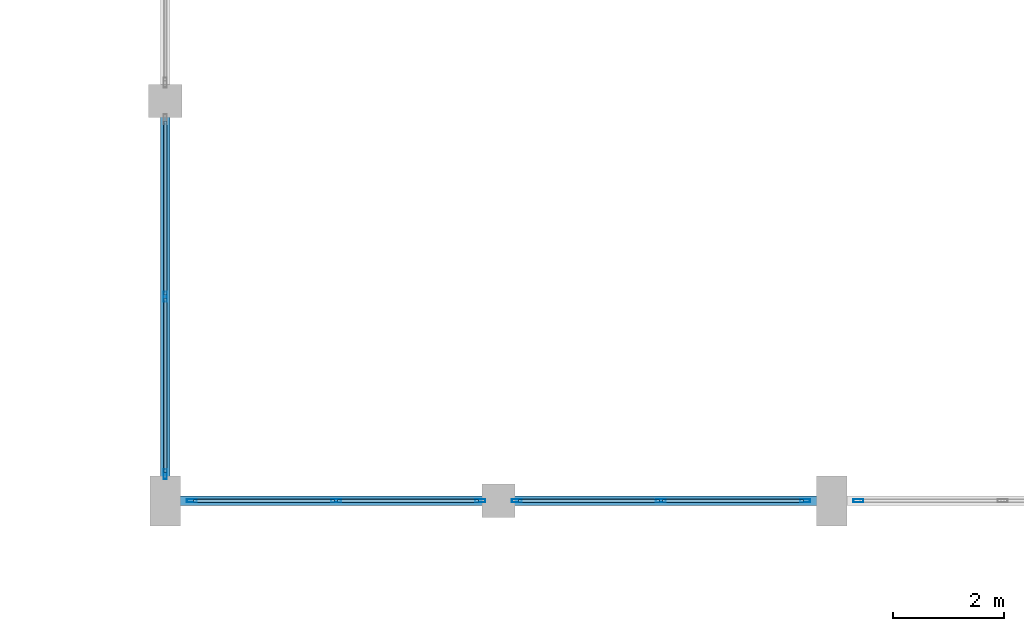
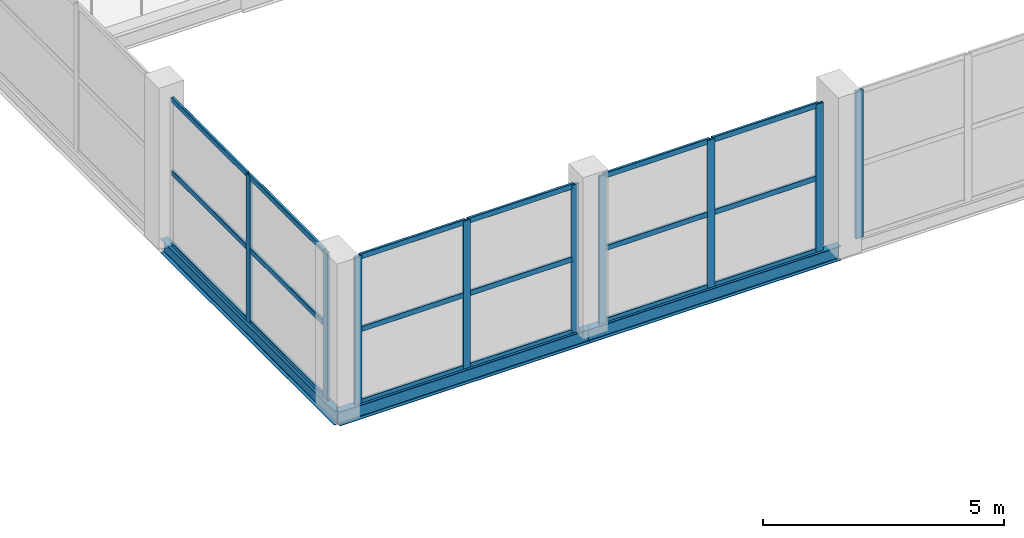
# One storey, part 35 of 127: 27 members, 3 beams, 4 elements without a shape of their own.
"""IFC4 building model written with IfcOpenShell, lengths in metres."""

from ifc_helpers import new_model, si_unit, direction, frame, origin, origin_2d, place, context, subcontext, project, spatial, hollow_rectangle, i_section, extrude, material, layer, layer_set, material_profile, profile_set, type_object, element, aggregate, save


model = new_model("IFC4")

# Units and contexts
model_context = context("Model", 3, precision=1e-05, world=origin(), true_north=direction((0.0, 1.0)))
body_context = subcontext(model_context, "Body", "Model", "MODEL_VIEW")
ifc_project = project(units=[si_unit("LENGTHUNIT", "METRE"), si_unit("AREAUNIT", "SQUARE_METRE"), si_unit("VOLUMEUNIT", "CUBIC_METRE"), si_unit("PLANEANGLEUNIT", "RADIAN"), si_unit("MASSUNIT", "GRAM", prefix="KILO")], contexts=[model_context])

# Site, building, storey
site_placement = place(None, origin())
site = spatial("IfcSite", under=ifc_project, at=site_placement, CompositionType="ELEMENT")
building_placement = place(site_placement, origin())
building = spatial("IfcBuilding", under=site, at=building_placement, Name="Dunvalen Ferry Terminal", CompositionType="ELEMENT")
storey_placement = place(building_placement, frame((0.0, 0.0, 5.760009765625)))
storey = spatial("IfcBuildingStorey", under=building, at=storey_placement, Name="L01", CompositionType="ELEMENT", Elevation=5.760009765625)

# Curtain wall, members
ifc_material_1 = material(Name="Anodised marine aluminium and solar-control glazing", Category="aluminium")
ifc_layer_1 = layer(ifc_material_1, 0.219970703125, Name="Anodised marine aluminium and solar-control glazing")
ifc_layer_set_1 = layer_set([ifc_layer_1], Name="Anodised marine aluminium and solar-control glazing")
curtain_wall_type_1 = type_object("IfcCurtainWallType", Name="ENV-CW-SYS-02", PredefinedType="NOTDEFINED", material=ifc_layer_set_1)
curtain_wall_1_placement = place(storey_placement, origin())
curtain_wall_1 = element("IfcCurtainWall", 1, at=curtain_wall_1_placement, inside=storey, type_object=curtain_wall_type_1, Name="L01 Curtain Wall CW-V2S-L01-01", PredefinedType="NOTDEFINED")
ifc_material_2 = material(Name="Anodised marine aluminium EN AW-6063 T6", Category="aluminium")
ifc_material_profile_1 = material_profile(ifc_material_2, hollow_rectangle(XDim=0.06005859375, YDim=0.179931640625, WallThickness=0.00341796875, InnerFilletRadius=0.00341796875, OuterFilletRadius=0.007080078125, at=origin_2d()), Name="Anodised marine aluminium EN AW-6063 T6")
ifc_profile_set_1 = profile_set([ifc_material_profile_1], Name="Anodised marine aluminium EN AW-6063 T6")
member_type_1 = type_object("IfcMemberType", Name="ENV-CW-MUL-2", PredefinedType="MULLION", material=ifc_profile_set_1)
member_1_placement = place(storey_placement, frame((108.47998046875, 57.60009765625, 0.02001953125), z_axis=(0.0, 0.0, 1.0), x_axis=(0.0, 1.0, 0.0)))
member_1 = element("IfcMember", 2, at=member_1_placement, type_object=member_type_1, Name="CW-02 mullion 1", PredefinedType="MULLION", context=body_context, shape_type="SweptSolid", body=[
    extrude(hollow_rectangle(XDim=0.06005859375, YDim=0.179931640625, WallThickness=0.00341796875, InnerFilletRadius=0.00341796875, OuterFilletRadius=0.007080078125, at=origin_2d()), origin(), (0.0, 0.0, 1.0), 3.739990234375),
])
member_2_placement = place(storey_placement, frame((111.074951171875, 57.60009765625, 0.02001953125), z_axis=(0.0, 0.0, 1.0), x_axis=(0.0, 1.0, 0.0)))
member_2 = element("IfcMember", 3, at=member_2_placement, type_object=member_type_1, Name="CW-02 mullion 2", PredefinedType="MULLION", context=body_context, shape_type="SweptSolid", body=[
    extrude(hollow_rectangle(XDim=0.06005859375, YDim=0.179931640625, WallThickness=0.00341796875, InnerFilletRadius=0.00341796875, OuterFilletRadius=0.007080078125, at=origin_2d()), origin(), (0.0, 0.0, 1.0), 3.739990234375),
])
member_3_placement = place(storey_placement, frame((113.669921875, 57.60009765625, 0.02001953125), z_axis=(0.0, 0.0, 1.0), x_axis=(0.0, 1.0, 0.0)))
member_3 = element("IfcMember", 4, at=member_3_placement, type_object=member_type_1, Name="CW-02 mullion 3", PredefinedType="MULLION", context=body_context, shape_type="SweptSolid", body=[
    extrude(hollow_rectangle(XDim=0.06005859375, YDim=0.179931640625, WallThickness=0.00341796875, InnerFilletRadius=0.00341796875, OuterFilletRadius=0.007080078125, at=origin_2d()), origin(), (0.0, 0.0, 1.0), 3.739990234375),
])

curtain_wall_2_placement = place(storey_placement, origin())
curtain_wall_2 = element("IfcCurtainWall", 5, at=curtain_wall_2_placement, inside=storey, type_object=curtain_wall_type_1, Name="L01 Curtain Wall CW-V2S-L01-02", PredefinedType="NOTDEFINED")
member_4_placement = place(storey_placement, frame((114.330078125, 57.60009765625, 0.02001953125), z_axis=(0.0, 0.0, 1.0), x_axis=(0.0, 1.0, 0.0)))
member_4 = element("IfcMember", 6, at=member_4_placement, type_object=member_type_1, Name="CW-02 mullion 1", PredefinedType="MULLION", context=body_context, shape_type="SweptSolid", body=[
    extrude(hollow_rectangle(XDim=0.06005859375, YDim=0.179931640625, WallThickness=0.00341796875, InnerFilletRadius=0.00341796875, OuterFilletRadius=0.007080078125, at=origin_2d()), origin(), (0.0, 0.0, 1.0), 3.739990234375),
])
member_5_placement = place(storey_placement, frame((116.925048828125, 57.60009765625, 0.02001953125), z_axis=(0.0, 0.0, 1.0), x_axis=(0.0, 1.0, 0.0)))
member_5 = element("IfcMember", 7, at=member_5_placement, type_object=member_type_1, Name="CW-02 mullion 2", PredefinedType="MULLION", context=body_context, shape_type="SweptSolid", body=[
    extrude(hollow_rectangle(XDim=0.06005859375, YDim=0.179931640625, WallThickness=0.00341796875, InnerFilletRadius=0.00341796875, OuterFilletRadius=0.007080078125, at=origin_2d()), origin(), (0.0, 0.0, 1.0), 3.739990234375),
])
member_6_placement = place(storey_placement, frame((119.52001953125, 57.60009765625, 0.02001953125), z_axis=(0.0, 0.0, 1.0), x_axis=(0.0, 1.0, 0.0)))
member_6 = element("IfcMember", 8, at=member_6_placement, type_object=member_type_1, Name="CW-02 mullion 3", PredefinedType="MULLION", context=body_context, shape_type="SweptSolid", body=[
    extrude(hollow_rectangle(XDim=0.06005859375, YDim=0.179931640625, WallThickness=0.00341796875, InnerFilletRadius=0.00341796875, OuterFilletRadius=0.007080078125, at=origin_2d()), origin(), (0.0, 0.0, 1.0), 3.739990234375),
])

# Curtain wall, member
curtain_wall_3_placement = place(storey_placement, origin())
curtain_wall_3 = element("IfcCurtainWall", 9, at=curtain_wall_3_placement, inside=storey, type_object=curtain_wall_type_1, Name="L01 Curtain Wall CW-V2S-L01-03", PredefinedType="NOTDEFINED")
member_7_placement = place(storey_placement, frame((120.47998046875, 57.60009765625, 0.02001953125), z_axis=(0.0, 0.0, 1.0), x_axis=(0.0, 1.0, 0.0)))
member_7 = element("IfcMember", 10, at=member_7_placement, type_object=member_type_1, Name="CW-02 mullion 1", PredefinedType="MULLION", context=body_context, shape_type="SweptSolid", body=[
    extrude(hollow_rectangle(XDim=0.06005859375, YDim=0.179931640625, WallThickness=0.00341796875, InnerFilletRadius=0.00341796875, OuterFilletRadius=0.007080078125, at=origin_2d()), origin(), (0.0, 0.0, 1.0), 3.739990234375),
])
aggregate(curtain_wall_3, [member_7])

# Curtain wall, members
ifc_layer_2 = layer(ifc_material_1, 0.219970703125, Name="Anodised marine aluminium and solar-control glazing")
ifc_layer_set_2 = layer_set([ifc_layer_2], Name="Anodised marine aluminium and solar-control glazing")
curtain_wall_type_2 = type_object("IfcCurtainWallType", Name="ENV-CW-SYS-04", PredefinedType="NOTDEFINED", material=ifc_layer_set_2)
curtain_wall_4_placement = place(storey_placement, origin())
curtain_wall_4 = element("IfcCurtainWall", 11, at=curtain_wall_4_placement, inside=storey, type_object=curtain_wall_type_2, Name="L01 Curtain Wall CW-V2W-L01-1", PredefinedType="NOTDEFINED")
member_8_placement = place(storey_placement, frame((108.0, 58.080078125, 0.02001953125), z_axis=(0.0, 0.0, 1.0), x_axis=(-1.0, 0.0, 0.0)))
member_8 = element("IfcMember", 12, at=member_8_placement, type_object=member_type_1, Name="CW-04 mullion 1", PredefinedType="MULLION", context=body_context, shape_type="SweptSolid", body=[
    extrude(hollow_rectangle(XDim=0.06005859375, YDim=0.179931640625, WallThickness=0.00341796875, InnerFilletRadius=0.00341796875, OuterFilletRadius=0.007080078125, at=origin_2d()), origin(), (0.0, 0.0, 1.0), 3.739990234375),
])
member_9_placement = place(storey_placement, frame((108.0, 61.27490234375, 0.02001953125), z_axis=(0.0, 0.0, 1.0), x_axis=(-1.0, 0.0, 0.0)))
member_9 = element("IfcMember", 13, at=member_9_placement, type_object=member_type_1, Name="CW-04 mullion 2", PredefinedType="MULLION", context=body_context, shape_type="SweptSolid", body=[
    extrude(hollow_rectangle(XDim=0.06005859375, YDim=0.179931640625, WallThickness=0.00341796875, InnerFilletRadius=0.00341796875, OuterFilletRadius=0.007080078125, at=origin_2d()), origin(), (0.0, 0.0, 1.0), 3.739990234375),
])

# Member
ifc_material_profile_2 = material_profile(ifc_material_2, hollow_rectangle(XDim=0.06005859375, YDim=0.135009765625, WallThickness=0.003173828125, InnerFilletRadius=0.003173828125, OuterFilletRadius=0.00634765625, at=origin_2d()), Name="Anodised marine aluminium EN AW-6063 T6")
ifc_profile_set_2 = profile_set([ifc_material_profile_2], Name="Anodised marine aluminium EN AW-6063 T6")
member_type_2 = type_object("IfcMemberType", Name="ENV-CW-TRN-2", PredefinedType="USERDEFINED", material=ifc_profile_set_2)
member_10_placement = place(storey_placement, frame((108.510009765625, 57.60009765625, 0.050048828125), z_axis=(1.0, 0.0, 0.0), x_axis=(0.0, 1.0, 0.0)))
member_10 = element("IfcMember", 14, at=member_10_placement, type_object=member_type_2, Name="CW-02 transom 1.1", ObjectType="TRANSOM", PredefinedType="USERDEFINED", context=body_context, shape_type="SweptSolid", body=[
    extrude(hollow_rectangle(XDim=0.06005859375, YDim=0.135009765625, WallThickness=0.003173828125, InnerFilletRadius=0.003173828125, OuterFilletRadius=0.00634765625, at=origin_2d()), origin(), (0.0, 0.0, 1.0), 2.534912109375),
])

member_11_placement = place(storey_placement, frame((108.510009765625, 57.60009765625, 1.889892578125), z_axis=(1.0, 0.0, 0.0), x_axis=(0.0, 1.0, 0.0)))
member_11 = element("IfcMember", 15, at=member_11_placement, type_object=member_type_2, Name="CW-02 transom 1.2", ObjectType="TRANSOM", PredefinedType="USERDEFINED", context=body_context, shape_type="SweptSolid", body=[
    extrude(hollow_rectangle(XDim=0.06005859375, YDim=0.135009765625, WallThickness=0.003173828125, InnerFilletRadius=0.003173828125, OuterFilletRadius=0.00634765625, at=origin_2d()), origin(), (0.0, 0.0, 1.0), 2.534912109375),
])

member_12_placement = place(storey_placement, frame((108.510009765625, 57.60009765625, 3.72998046875), z_axis=(1.0, 0.0, 0.0), x_axis=(0.0, 1.0, 0.0)))
member_12 = element("IfcMember", 16, at=member_12_placement, type_object=member_type_2, Name="CW-02 transom 1.3", ObjectType="TRANSOM", PredefinedType="USERDEFINED", context=body_context, shape_type="SweptSolid", body=[
    extrude(hollow_rectangle(XDim=0.06005859375, YDim=0.135009765625, WallThickness=0.003173828125, InnerFilletRadius=0.003173828125, OuterFilletRadius=0.00634765625, at=origin_2d()), origin(), (0.0, 0.0, 1.0), 2.534912109375),
])

member_13_placement = place(storey_placement, frame((111.10498046875, 57.60009765625, 0.050048828125), z_axis=(1.0, 0.0, 0.0), x_axis=(0.0, 1.0, 0.0)))
member_13 = element("IfcMember", 17, at=member_13_placement, type_object=member_type_2, Name="CW-02 transom 2.1", ObjectType="TRANSOM", PredefinedType="USERDEFINED", context=body_context, shape_type="SweptSolid", body=[
    extrude(hollow_rectangle(XDim=0.06005859375, YDim=0.135009765625, WallThickness=0.003173828125, InnerFilletRadius=0.003173828125, OuterFilletRadius=0.00634765625, at=origin_2d()), origin(), (0.0, 0.0, 1.0), 2.534912109375),
])

member_14_placement = place(storey_placement, frame((111.10498046875, 57.60009765625, 1.889892578125), z_axis=(1.0, 0.0, 0.0), x_axis=(0.0, 1.0, 0.0)))
member_14 = element("IfcMember", 18, at=member_14_placement, type_object=member_type_2, Name="CW-02 transom 2.2", ObjectType="TRANSOM", PredefinedType="USERDEFINED", context=body_context, shape_type="SweptSolid", body=[
    extrude(hollow_rectangle(XDim=0.06005859375, YDim=0.135009765625, WallThickness=0.003173828125, InnerFilletRadius=0.003173828125, OuterFilletRadius=0.00634765625, at=origin_2d()), origin(), (0.0, 0.0, 1.0), 2.534912109375),
])

member_15_placement = place(storey_placement, frame((111.10498046875, 57.60009765625, 3.72998046875), z_axis=(1.0, 0.0, 0.0), x_axis=(0.0, 1.0, 0.0)))
member_15 = element("IfcMember", 19, at=member_15_placement, type_object=member_type_2, Name="CW-02 transom 2.3", ObjectType="TRANSOM", PredefinedType="USERDEFINED", context=body_context, shape_type="SweptSolid", body=[
    extrude(hollow_rectangle(XDim=0.06005859375, YDim=0.135009765625, WallThickness=0.003173828125, InnerFilletRadius=0.003173828125, OuterFilletRadius=0.00634765625, at=origin_2d()), origin(), (0.0, 0.0, 1.0), 2.534912109375),
])

aggregate(curtain_wall_1, [member_1, member_2, member_3, member_10, member_11, member_12, member_13, member_14, member_15])

member_16_placement = place(storey_placement, frame((114.360107421875, 57.60009765625, 0.050048828125), z_axis=(1.0, 0.0, 0.0), x_axis=(0.0, 1.0, 0.0)))
member_16 = element("IfcMember", 20, at=member_16_placement, type_object=member_type_2, Name="CW-02 transom 1.1", ObjectType="TRANSOM", PredefinedType="USERDEFINED", context=body_context, shape_type="SweptSolid", body=[
    extrude(hollow_rectangle(XDim=0.06005859375, YDim=0.135009765625, WallThickness=0.003173828125, InnerFilletRadius=0.003173828125, OuterFilletRadius=0.00634765625, at=origin_2d()), origin(), (0.0, 0.0, 1.0), 2.534912109375),
])

member_17_placement = place(storey_placement, frame((114.360107421875, 57.60009765625, 1.889892578125), z_axis=(1.0, 0.0, 0.0), x_axis=(0.0, 1.0, 0.0)))
member_17 = element("IfcMember", 21, at=member_17_placement, type_object=member_type_2, Name="CW-02 transom 1.2", ObjectType="TRANSOM", PredefinedType="USERDEFINED", context=body_context, shape_type="SweptSolid", body=[
    extrude(hollow_rectangle(XDim=0.06005859375, YDim=0.135009765625, WallThickness=0.003173828125, InnerFilletRadius=0.003173828125, OuterFilletRadius=0.00634765625, at=origin_2d()), origin(), (0.0, 0.0, 1.0), 2.534912109375),
])

member_18_placement = place(storey_placement, frame((114.360107421875, 57.60009765625, 3.72998046875), z_axis=(1.0, 0.0, 0.0), x_axis=(0.0, 1.0, 0.0)))
member_18 = element("IfcMember", 22, at=member_18_placement, type_object=member_type_2, Name="CW-02 transom 1.3", ObjectType="TRANSOM", PredefinedType="USERDEFINED", context=body_context, shape_type="SweptSolid", body=[
    extrude(hollow_rectangle(XDim=0.06005859375, YDim=0.135009765625, WallThickness=0.003173828125, InnerFilletRadius=0.003173828125, OuterFilletRadius=0.00634765625, at=origin_2d()), origin(), (0.0, 0.0, 1.0), 2.534912109375),
])

member_19_placement = place(storey_placement, frame((116.955078125, 57.60009765625, 0.050048828125), z_axis=(1.0, 0.0, 0.0), x_axis=(0.0, 1.0, 0.0)))
member_19 = element("IfcMember", 23, at=member_19_placement, type_object=member_type_2, Name="CW-02 transom 2.1", ObjectType="TRANSOM", PredefinedType="USERDEFINED", context=body_context, shape_type="SweptSolid", body=[
    extrude(hollow_rectangle(XDim=0.06005859375, YDim=0.135009765625, WallThickness=0.003173828125, InnerFilletRadius=0.003173828125, OuterFilletRadius=0.00634765625, at=origin_2d()), origin(), (0.0, 0.0, 1.0), 2.534912109375),
])

member_20_placement = place(storey_placement, frame((116.955078125, 57.60009765625, 1.889892578125), z_axis=(1.0, 0.0, 0.0), x_axis=(0.0, 1.0, 0.0)))
member_20 = element("IfcMember", 24, at=member_20_placement, type_object=member_type_2, Name="CW-02 transom 2.2", ObjectType="TRANSOM", PredefinedType="USERDEFINED", context=body_context, shape_type="SweptSolid", body=[
    extrude(hollow_rectangle(XDim=0.06005859375, YDim=0.135009765625, WallThickness=0.003173828125, InnerFilletRadius=0.003173828125, OuterFilletRadius=0.00634765625, at=origin_2d()), origin(), (0.0, 0.0, 1.0), 2.534912109375),
])

member_21_placement = place(storey_placement, frame((116.955078125, 57.60009765625, 3.72998046875), z_axis=(1.0, 0.0, 0.0), x_axis=(0.0, 1.0, 0.0)))
member_21 = element("IfcMember", 25, at=member_21_placement, type_object=member_type_2, Name="CW-02 transom 2.3", ObjectType="TRANSOM", PredefinedType="USERDEFINED", context=body_context, shape_type="SweptSolid", body=[
    extrude(hollow_rectangle(XDim=0.06005859375, YDim=0.135009765625, WallThickness=0.003173828125, InnerFilletRadius=0.003173828125, OuterFilletRadius=0.00634765625, at=origin_2d()), origin(), (0.0, 0.0, 1.0), 2.534912109375),
])

aggregate(curtain_wall_2, [member_4, member_5, member_6, member_16, member_17, member_18, member_19, member_20, member_21])

member_22_placement = place(storey_placement, frame((108.0, 58.110107421875, 0.050048828125), z_axis=(0.0, 1.0, 0.0), x_axis=(-1.0, 0.0, 0.0)))
member_22 = element("IfcMember", 26, at=member_22_placement, type_object=member_type_2, Name="CW-04 transom 1.1", ObjectType="TRANSOM", PredefinedType="USERDEFINED", context=body_context, shape_type="SweptSolid", body=[
    extrude(hollow_rectangle(XDim=0.06005859375, YDim=0.135009765625, WallThickness=0.003173828125, InnerFilletRadius=0.003173828125, OuterFilletRadius=0.00634765625, at=origin_2d()), origin(), (0.0, 0.0, 1.0), 3.135009765625),
])

member_23_placement = place(storey_placement, frame((108.0, 58.110107421875, 1.889892578125), z_axis=(0.0, 1.0, 0.0), x_axis=(-1.0, 0.0, 0.0)))
member_23 = element("IfcMember", 27, at=member_23_placement, type_object=member_type_2, Name="CW-04 transom 1.2", ObjectType="TRANSOM", PredefinedType="USERDEFINED", context=body_context, shape_type="SweptSolid", body=[
    extrude(hollow_rectangle(XDim=0.06005859375, YDim=0.135009765625, WallThickness=0.003173828125, InnerFilletRadius=0.003173828125, OuterFilletRadius=0.00634765625, at=origin_2d()), origin(), (0.0, 0.0, 1.0), 3.135009765625),
])

member_24_placement = place(storey_placement, frame((108.0, 58.110107421875, 3.72998046875), z_axis=(0.0, 1.0, 0.0), x_axis=(-1.0, 0.0, 0.0)))
member_24 = element("IfcMember", 28, at=member_24_placement, type_object=member_type_2, Name="CW-04 transom 1.3", ObjectType="TRANSOM", PredefinedType="USERDEFINED", context=body_context, shape_type="SweptSolid", body=[
    extrude(hollow_rectangle(XDim=0.06005859375, YDim=0.135009765625, WallThickness=0.003173828125, InnerFilletRadius=0.003173828125, OuterFilletRadius=0.00634765625, at=origin_2d()), origin(), (0.0, 0.0, 1.0), 3.135009765625),
])

member_25_placement = place(storey_placement, frame((108.0, 61.304931640625, 0.050048828125), z_axis=(0.0, 1.0, 0.0), x_axis=(-1.0, 0.0, 0.0)))
member_25 = element("IfcMember", 29, at=member_25_placement, type_object=member_type_2, Name="CW-04 transom 2.1", ObjectType="TRANSOM", PredefinedType="USERDEFINED", context=body_context, shape_type="SweptSolid", body=[
    extrude(hollow_rectangle(XDim=0.06005859375, YDim=0.135009765625, WallThickness=0.003173828125, InnerFilletRadius=0.003173828125, OuterFilletRadius=0.00634765625, at=origin_2d()), origin(), (0.0, 0.0, 1.0), 3.135009765625),
])

member_26_placement = place(storey_placement, frame((108.0, 61.304931640625, 1.889892578125), z_axis=(0.0, 1.0, 0.0), x_axis=(-1.0, 0.0, 0.0)))
member_26 = element("IfcMember", 30, at=member_26_placement, type_object=member_type_2, Name="CW-04 transom 2.2", ObjectType="TRANSOM", PredefinedType="USERDEFINED", context=body_context, shape_type="SweptSolid", body=[
    extrude(hollow_rectangle(XDim=0.06005859375, YDim=0.135009765625, WallThickness=0.003173828125, InnerFilletRadius=0.003173828125, OuterFilletRadius=0.00634765625, at=origin_2d()), origin(), (0.0, 0.0, 1.0), 3.135009765625),
])

member_27_placement = place(storey_placement, frame((108.0, 61.304931640625, 3.72998046875), z_axis=(0.0, 1.0, 0.0), x_axis=(-1.0, 0.0, 0.0)))
member_27 = element("IfcMember", 31, at=member_27_placement, type_object=member_type_2, Name="CW-04 transom 2.3", ObjectType="TRANSOM", PredefinedType="USERDEFINED", context=body_context, shape_type="SweptSolid", body=[
    extrude(hollow_rectangle(XDim=0.06005859375, YDim=0.135009765625, WallThickness=0.003173828125, InnerFilletRadius=0.003173828125, OuterFilletRadius=0.00634765625, at=origin_2d()), origin(), (0.0, 0.0, 1.0), 3.135009765625),
])

aggregate(curtain_wall_4, [member_8, member_9, member_22, member_23, member_24, member_25, member_26, member_27])

# Beams
ifc_material_3 = material(Name="Steel S355", Category="steel")
ifc_material_profile_3 = material_profile(ifc_material_3, i_section(OverallWidth=0.169921875, OverallDepth=0.360107421875, WebThickness=0.008056640625, FlangeThickness=0.0126953125, FilletRadius=0.01806640625, at=origin_2d()), Name="Steel S355")
ifc_profile_set_3 = profile_set([ifc_material_profile_3], Name="Steel S355")
beam_type = type_object("IfcBeamType", Name="STR-BM-IPE360", PredefinedType="BEAM", material=ifc_profile_set_3)
for number, where, z_axis, x_axis, name in (
    (32, (108.0, 57.60009765625, -0.159912109375), (1.0, 0.0, 0.0), (0.0, 1.0, 0.0), "Arrivals Hall South Curtain-Wall Girt 01"),
    (33, (114.0, 57.60009765625, -0.159912109375), (1.0, 0.0, 0.0), (0.0, 1.0, 0.0), "Arrivals Hall South Curtain-Wall Girt 02"),
):
    element("IfcBeam", number, at=place(storey_placement, frame(where, z_axis=z_axis, x_axis=x_axis)), inside=storey, type_object=beam_type, Name=name, PredefinedType="BEAM", context=body_context, shape_type="SweptSolid", body=[
        extrude(i_section(OverallWidth=0.169921875, OverallDepth=0.360107421875, WebThickness=0.008056640625, FlangeThickness=0.0126953125, FilletRadius=0.01806640625, at=origin_2d()), origin(), (0.0, 0.0, 1.0), 6.0),
    ])
beam_placement = place(storey_placement, frame((108.0, 57.60009765625, -0.159912109375), z_axis=(0.0, 1.0, 0.0), x_axis=(-1.0, 0.0, 0.0)))
element("IfcBeam", 34, at=beam_placement, inside=storey, type_object=beam_type, Name="Arrivals Hall West Curtain-Wall Girt 1", PredefinedType="BEAM", context=body_context, shape_type="SweptSolid", body=[
    extrude(i_section(OverallWidth=0.169921875, OverallDepth=0.360107421875, WebThickness=0.008056640625, FlangeThickness=0.0126953125, FilletRadius=0.01806640625, at=origin_2d()), origin(), (0.0, 0.0, 1.0), 7.199951171875),
])

save(model, "model.ifc")
